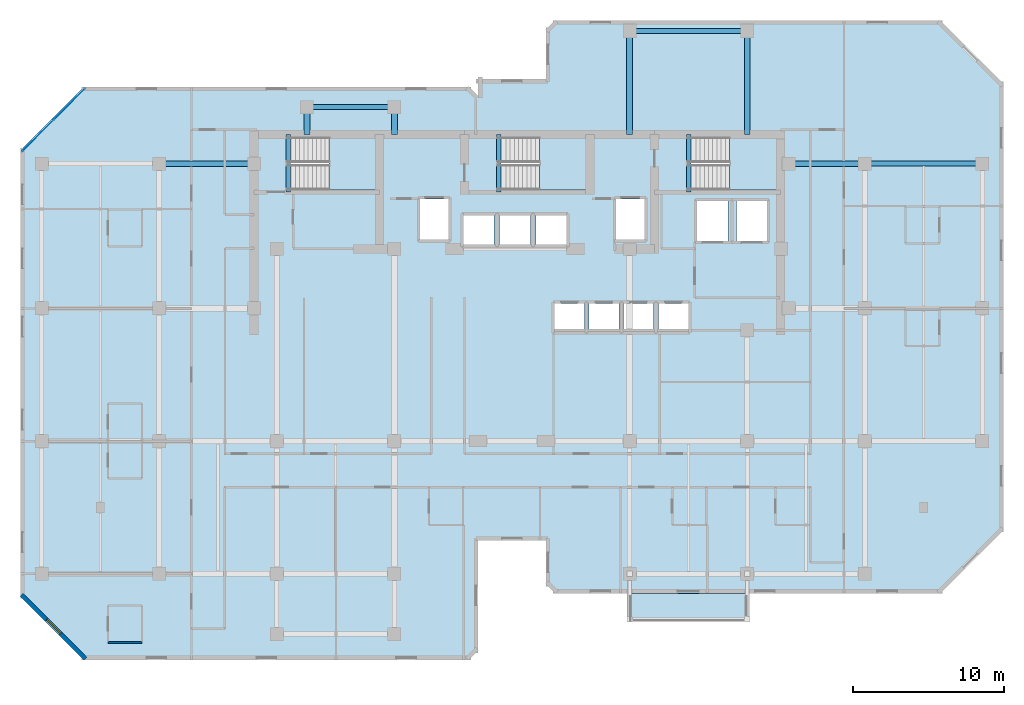
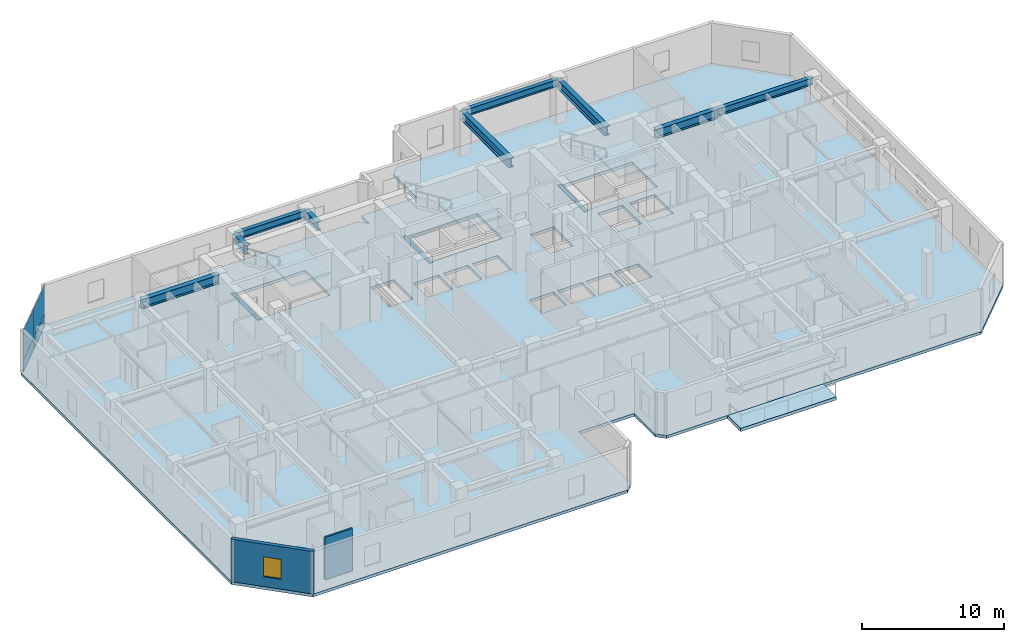
# One storey, part 3 of 11: 12 beams, 5 slabs, 4 plates, 2 walls, 1 window, 1 opening, 4 elements without a shape of their own.
"""IFC4 building model written with IfcOpenShell, lengths in metres."""

from ifc_helpers import new_model, si_unit, direction, frame, frame_2d, origin, origin_2d, place, context, subcontext, project, spatial, polyline, rectangle, i_section, outline, extrude, material, layer, layer_set, material_profile, profile_set, type_object, element, fill, aggregate, save


model = new_model("IFC4")

# Units and contexts
model_context = context("Model", 3, precision=1e-05, world=origin(), true_north=direction((0.0, 1.0)))
body_context = subcontext(model_context, "Body", "Model", "MODEL_VIEW")
ifc_project = project(units=[si_unit("LENGTHUNIT", "METRE"), si_unit("AREAUNIT", "SQUARE_METRE"), si_unit("VOLUMEUNIT", "CUBIC_METRE"), si_unit("PLANEANGLEUNIT", "RADIAN"), si_unit("MASSUNIT", "GRAM", prefix="KILO")], contexts=[model_context])

# Site, building, storey
site_placement = place(None, origin())
site = spatial("IfcSite", under=ifc_project, at=site_placement, CompositionType="ELEMENT")
building_placement = place(site_placement, origin())
building = spatial("IfcBuilding", under=site, at=building_placement, Name="Kestravale Grand Hotel", CompositionType="ELEMENT")
storey_placement = place(building_placement, frame((0.0, 0.0, 192.89990234375)))
storey = spatial("IfcBuildingStorey", under=building, at=storey_placement, Name="L48", CompositionType="ELEMENT", Elevation=192.89990234375)

# Beams
ifc_material_1 = material(Name="Concrete f'c 45 MPa", Category="concrete")
ifc_material_profile_1 = material_profile(ifc_material_1, rectangle(XDim=0.300048828125, YDim=0.39990234375, at=origin_2d()))
ifc_profile_set_1 = profile_set([ifc_material_profile_1], Name="Concrete f'c 45 MPa")
beam_type_1 = type_object("IfcBeamType", Name="B-FLR-LNT400", PredefinedType="LINTEL", material=ifc_profile_set_1)
for number, where, z_axis, x_axis, name in (
    (1, (24.159912109375, 36.52001953125, -0.199951171875), (0.0, 1.0, 0.0), (-1.0, 0.0, 0.0), "L48 ST1 flight bottom header beam"),
    (2, (38.110107421875, 36.52001953125, -0.199951171875), (0.0, 1.0, 0.0), (-1.0, 0.0, 0.0), "L48 ST2 flight bottom header beam"),
    (3, (50.7099609375, 36.52001953125, -0.199951171875), (0.0, 1.0, 0.0), (-1.0, 0.0, 0.0), "L48 ST3 flight bottom header beam"),
):
    element("IfcBeam", number, at=place(storey_placement, frame(where, z_axis=z_axis, x_axis=x_axis)), inside=storey, type_object=beam_type_1, Name=name, PredefinedType="LINTEL", context=body_context, shape_type="SweptSolid", body=[
        extrude(rectangle(XDim=0.300048828125, YDim=0.39990234375, at=origin_2d()), origin(), (0.0, 0.0, 1.0), 3.800048828125),
    ])
ifc_material_2 = material(Name="Steel ASTM A992 Grade 50", Category="steel")
ifc_material_profile_2 = material_profile(ifc_material_2, i_section(OverallWidth=0.324951171875, OverallDepth=0.612060546875, WebThickness=0.0126953125, FlangeThickness=0.01904296875, FilletRadius=0.018798828125, at=origin_2d()))
ifc_profile_set_2 = profile_set([ifc_material_profile_2], Name="Steel ASTM A992 Grade 50")
beam_type_2 = type_object("IfcBeamType", Name="B-FLR-W24A", PredefinedType="SPANDREL", material=ifc_profile_set_2)
for number, where, z_axis, x_axis, name in (
    (4, (62.39990234375, 38.39990234375, 3.343994140625), (1.0, 0.0, 0.0), (0.0, 1.0, 0.0), "L48 spandrel F:10-11"),
    (5, (46.800048828125, 47.199951171875, 3.343994140625), (1.0, 0.0, 0.0), (0.0, 1.0, 0.0), "L48 spandrel G:8-9"),
):
    element("IfcBeam", number, at=place(storey_placement, frame(where, z_axis=z_axis, x_axis=x_axis)), inside=storey, type_object=beam_type_2, Name=name, PredefinedType="SPANDREL", context=body_context, shape_type="SweptSolid", body=[
        extrude(i_section(OverallWidth=0.324951171875, OverallDepth=0.612060546875, WebThickness=0.0126953125, FlangeThickness=0.01904296875, FilletRadius=0.018798828125, at=origin_2d()), origin(), (0.0, 0.0, 1.0), 7.800048828125),
    ])
beam_1_placement = place(storey_placement, frame((25.39990234375, 42.14990234375, 3.343994140625), z_axis=(1.0, 0.0, 0.0), x_axis=(0.0, 1.0, 0.0)))
element("IfcBeam", 6, at=beam_1_placement, inside=storey, type_object=beam_type_2, Name="L48 perimeter tie spandrel FN:4-5", PredefinedType="SPANDREL", context=body_context, shape_type="SweptSolid", body=[
    extrude(i_section(OverallWidth=0.324951171875, OverallDepth=0.612060546875, WebThickness=0.0126953125, FlangeThickness=0.01904296875, FilletRadius=0.018798828125, at=origin_2d()), origin(), (0.0, 0.0, 1.0), 5.800048828125),
])
ifc_material_3 = material(Name="Steel ASTM A992 Grade 50", Category="steel")
ifc_material_profile_3 = material_profile(ifc_material_3, i_section(OverallWidth=0.381103515625, OverallDepth=0.77197265625, WebThickness=0.0166015625, FlangeThickness=0.027099609375, FilletRadius=0.023681640625, at=origin_2d()))
ifc_profile_set_3 = profile_set([ifc_material_profile_3], Name="Steel ASTM A992 Grade 50")
beam_type_3 = type_object("IfcBeamType", Name="B-GRD-W30", PredefinedType="BEAM", material=ifc_profile_set_3)
beam_2_placement = place(storey_placement, frame((15.60009765625, 38.39990234375, 3.26416015625), z_axis=(1.0, 0.0, 0.0), x_axis=(0.0, 1.0, 0.0)))
element("IfcBeam", 7, at=beam_2_placement, inside=storey, type_object=beam_type_3, Name="L48 girder F:3-CW", PredefinedType="BEAM", context=body_context, shape_type="SweptSolid", body=[
    extrude(i_section(OverallWidth=0.381103515625, OverallDepth=0.77197265625, WebThickness=0.0166015625, FlangeThickness=0.027099609375, FilletRadius=0.023681640625, at=origin_2d()), origin(), (0.0, 0.0, 1.0), 6.2998046875),
])
beam_3_placement = place(storey_placement, frame((57.35009765625, 38.39990234375, 3.26416015625), z_axis=(1.0, 0.0, 0.0), x_axis=(0.0, 1.0, 0.0)))
element("IfcBeam", 8, at=beam_3_placement, inside=storey, type_object=beam_type_3, Name="L48 girder F:CE-10", PredefinedType="BEAM", context=body_context, shape_type="SweptSolid", body=[
    extrude(i_section(OverallWidth=0.381103515625, OverallDepth=0.77197265625, WebThickness=0.0166015625, FlangeThickness=0.027099609375, FilletRadius=0.023681640625, at=origin_2d()), origin(), (0.0, 0.0, 1.0), 5.0498046875),
])
for number, where, z_axis, x_axis, name in (
    (9, (25.39990234375, 40.320068359375, 3.26416015625), (0.0, 1.0, 0.0), (-1.0, 0.0, 0.0), "L48 north wing tie girder 4:CN-FN"),
    (10, (31.199951171875, 40.320068359375, 3.26416015625), (0.0, 1.0, 0.0), (-1.0, 0.0, 0.0), "L48 north wing tie girder 5:CN-FN"),
):
    element("IfcBeam", number, at=place(storey_placement, frame(where, z_axis=z_axis, x_axis=x_axis)), inside=storey, type_object=beam_type_3, Name=name, PredefinedType="BEAM", context=body_context, shape_type="SweptSolid", body=[
        extrude(i_section(OverallWidth=0.381103515625, OverallDepth=0.77197265625, WebThickness=0.0166015625, FlangeThickness=0.027099609375, FilletRadius=0.023681640625, at=origin_2d()), origin(), (0.0, 0.0, 1.0), 1.829833984375),
    ])
for number, where, z_axis, x_axis, name in (
    (11, (46.800048828125, 40.320068359375, 3.26416015625), (0.0, 1.0, 0.0), (-1.0, 0.0, 0.0), "L48 north wing tie girder 8:CN-G"),
    (12, (54.60009765625, 40.320068359375, 3.26416015625), (0.0, 1.0, 0.0), (-1.0, 0.0, 0.0), "L48 north wing tie girder 9:CN-G"),
):
    element("IfcBeam", number, at=place(storey_placement, frame(where, z_axis=z_axis, x_axis=x_axis)), inside=storey, type_object=beam_type_3, Name=name, PredefinedType="BEAM", context=body_context, shape_type="SweptSolid", body=[
        extrude(i_section(OverallWidth=0.381103515625, OverallDepth=0.77197265625, WebThickness=0.0166015625, FlangeThickness=0.027099609375, FilletRadius=0.023681640625, at=origin_2d()), origin(), (0.0, 0.0, 1.0), 6.8798828125),
    ])

# Curtain wall, plates
ifc_material_4 = material(Name="Thermally broken champagne-bronze aluminium and low-E glazing", Category="aluminium")
ifc_layer_1 = layer(ifc_material_4, 0.179931640625)
ifc_layer_set_1 = layer_set([ifc_layer_1], Name="CW-Z3")
curtain_wall_type = type_object("IfcCurtainWallType", Name="CW-Z3", PredefinedType="NOTDEFINED", material=ifc_layer_set_1)
curtain_wall_placement = place(storey_placement, origin())
curtain_wall = element("IfcCurtainWall", 13, at=curtain_wall_placement, inside=storey, type_object=curtain_wall_type, Name="L48 unitised curtain wall 18", PredefinedType="NOTDEFINED")
ifc_material_5 = material(Name="Insulated clear low-E double glazing IGU", Category="glass")
ifc_layer_2 = layer(ifc_material_5, 0.031982421875)
ifc_layer_set_2 = layer_set([ifc_layer_2], Name="CW-PNL-32")
plate_type = type_object("IfcPlateType", Name="CW-PNL-32", PredefinedType="CURTAIN_PANEL", material=ifc_layer_set_2)
plate_1_placement = place(storey_placement, frame((9.64453125, 42.3466796875, 0.06494140625), z_axis=(0.0, 0.0, 1.0), x_axis=(-0.707106781187, -0.707106781187, 0.0)))
plate_1 = element("IfcPlate", 14, at=plate_1_placement, type_object=plate_type, Name="CW-Z3 panel 1.1", PredefinedType="CURTAIN_PANEL", context=body_context, shape_type="SweptSolid", body=[
    extrude(rectangle(XDim=2.892333984375, YDim=0.031982421875, at=origin_2d()), origin(), (0.0, 0.0, 1.0), 0.952392578125),
])
plate_2_placement = place(storey_placement, frame((9.64453125, 42.3466796875, 1.08251953125), z_axis=(0.0, 0.0, 1.0), x_axis=(-0.707106781187, -0.707106781187, 0.0)))
plate_2 = element("IfcPlate", 15, at=plate_2_placement, type_object=plate_type, Name="CW-Z3 panel 1.2", PredefinedType="CURTAIN_PANEL", context=body_context, shape_type="SweptSolid", body=[
    extrude(rectangle(XDim=2.892333984375, YDim=0.031982421875, at=origin_2d()), origin(), (0.0, 0.0, 1.0), 2.50244140625),
])
plate_3_placement = place(storey_placement, frame((7.553466796875, 40.25537109375, 0.06494140625), z_axis=(0.0, 0.0, 1.0), x_axis=(-0.707106781187, -0.707106781187, 0.0)))
plate_3 = element("IfcPlate", 16, at=plate_3_placement, type_object=plate_type, Name="CW-Z3 panel 2.1", PredefinedType="CURTAIN_PANEL", context=body_context, shape_type="SweptSolid", body=[
    extrude(rectangle(XDim=2.892333984375, YDim=0.031982421875, at=origin_2d()), origin(), (0.0, 0.0, 1.0), 0.952392578125),
])
plate_4_placement = place(storey_placement, frame((7.553466796875, 40.25537109375, 1.08251953125), z_axis=(0.0, 0.0, 1.0), x_axis=(-0.707106781187, -0.707106781187, 0.0)))
plate_4 = element("IfcPlate", 17, at=plate_4_placement, type_object=plate_type, Name="CW-Z3 panel 2.2", PredefinedType="CURTAIN_PANEL", context=body_context, shape_type="SweptSolid", body=[
    extrude(rectangle(XDim=2.892333984375, YDim=0.031982421875, at=origin_2d()), origin(), (0.0, 0.0, 1.0), 2.50244140625),
])
aggregate(curtain_wall, [plate_1, plate_2, plate_3, plate_4])

# Slab
ifc_material_6 = material(Name="Concrete f'c 45 MPa", Category="concrete")
ifc_layer_3 = layer(ifc_material_6, 0.27001953125)
ifc_layer_set_3 = layer_set([ifc_layer_3], Name="ES-TERR-270")
slab_type_1 = type_object("IfcSlabType", Name="ES-TERR-270", PredefinedType="FLOOR", material=ifc_layer_set_3)
slab_1_placement = place(storey_placement, frame((0.0, 0.0, -0.27001953125)))
element("IfcSlab", 18, at=slab_1_placement, inside=storey, type_object=slab_type_1, Name="L48 spiralling planted garden terrace", PredefinedType="FLOOR", context=body_context, shape_type="SweptSolid", body=[
    extrude(outline(polyline([(46.800048828125, 8.050048828125), (54.60009765625, 8.050048828125), (54.60009765625, 9.89990234375), (46.800048828125, 9.89990234375), (46.800048828125, 8.050048828125)])), origin(), (0.0, 0.0, 1.0), 0.27001953125),
])

# Stair, slab
ifc_material_7 = material(Name="Concrete f'c 45 MPa", Category="concrete")
stair_type = type_object("IfcStairType", Name="ST-CORE-390", PredefinedType="HALF_TURN_STAIR", material=ifc_material_7)
stair_1_placement = place(storey_placement, origin())
stair_1 = element("IfcStair", 19, at=stair_1_placement, inside=storey, type_object=stair_type, Name="L48 ST-1", PredefinedType="HALF_TURN_STAIR")
ifc_material_8 = material(Name="Concrete f'c 45 MPa", Category="concrete")
ifc_layer_4 = layer(ifc_material_8, 0.199951171875)
ifc_layer_set_4 = layer_set([ifc_layer_4], Name="SLB-ST-LND200")
slab_type_2 = type_object("IfcSlabType", Name="SLB-ST-LND200", PredefinedType="LANDING", material=ifc_layer_set_4)
slab_2_placement = place(storey_placement, frame((0.0, 0.0, 1.75)))
slab_2 = element("IfcSlab", 20, at=slab_2_placement, type_object=slab_type_2, Name="ST-1 landing 1", PredefinedType="LANDING", context=body_context, shape_type="SweptSolid", body=[
    extrude(outline(polyline([(26.8798828125, 36.64990234375), (30.0, 36.64990234375), (30.0, 40.159912109375), (26.8798828125, 40.159912109375), (26.8798828125, 36.64990234375)])), origin(), (0.0, 0.0, 1.0), 0.2001953125),
])
aggregate(stair_1, [slab_2])

stair_2_placement = place(storey_placement, origin())
stair_2 = element("IfcStair", 21, at=stair_2_placement, inside=storey, type_object=stair_type, Name="L48 ST-2", PredefinedType="HALF_TURN_STAIR")
slab_3_placement = place(storey_placement, frame((0.0, 0.0, 1.75)))
slab_3 = element("IfcSlab", 22, at=slab_3_placement, type_object=slab_type_2, Name="ST-2 landing 1", PredefinedType="LANDING", context=body_context, shape_type="SweptSolid", body=[
    extrude(outline(polyline([(40.830078125, 36.64990234375), (43.949951171875, 36.64990234375), (43.949951171875, 40.159912109375), (40.830078125, 40.159912109375), (40.830078125, 36.64990234375)])), origin(), (0.0, 0.0, 1.0), 0.2001953125),
])
aggregate(stair_2, [slab_3])

stair_3_placement = place(storey_placement, origin())
stair_3 = element("IfcStair", 23, at=stair_3_placement, inside=storey, type_object=stair_type, Name="L48 ST-3", PredefinedType="HALF_TURN_STAIR")
slab_4_placement = place(storey_placement, frame((0.0, 0.0, 1.75)))
slab_4 = element("IfcSlab", 24, at=slab_4_placement, type_object=slab_type_2, Name="ST-3 landing 1", PredefinedType="LANDING", context=body_context, shape_type="SweptSolid", body=[
    extrude(outline(polyline([(53.429931640625, 36.64990234375), (56.550048828125, 36.64990234375), (56.550048828125, 40.159912109375), (53.429931640625, 40.159912109375), (53.429931640625, 36.64990234375)])), origin(), (0.0, 0.0, 1.0), 0.2001953125),
])
aggregate(stair_3, [slab_4])

# Slab
ifc_material_9 = material(Name="Concrete f'c 45 MPa", Category="concrete")
ifc_layer_5 = layer(ifc_material_9, 0.25)
ifc_layer_set_5 = layer_set([ifc_layer_5], Name="SS-FLR-250")
slab_type_3 = type_object("IfcSlabType", Name="SS-FLR-250", PredefinedType="FLOOR", material=ifc_layer_set_5)
slab_5_placement = place(storey_placement, frame((0.0, 0.0, -0.25)))
element("IfcSlab", 25, at=slab_5_placement, inside=storey, type_object=slab_type_3, Name="L48 structural floor slab", PredefinedType="FLOOR", context=body_context, shape_type="SweptSolid", body=[
    extrude(outline(polyline([(10.60009765625, 5.5), (36.14990234375, 5.5), (36.75, 6.10009765625), (36.75, 13.39990234375), (41.25, 13.39990234375), (41.25, 10.5), (41.85009765625, 9.89990234375), (67.39990234375, 9.89990234375), (71.60009765625, 14.10009765625), (71.60009765625, 43.699951171875), (67.39990234375, 47.89990234375), (41.85009765625, 47.89990234375), (41.25, 47.300048828125), (41.25, 44.0), (36.75, 44.0), (36.75, 42.89990234375), (36.14990234375, 43.5), (10.60009765625, 43.5), (6.39990234375, 39.300048828125), (6.39990234375, 9.699951171875), (10.60009765625, 5.5)]), holes=[polyline([(24.080078125, 36.64990234375), (30.0, 36.64990234375), (30.0, 40.159912109375), (24.080078125, 40.159912109375), (24.080078125, 36.64990234375)]), polyline([(38.030029296875, 36.64990234375), (43.949951171875, 36.64990234375), (43.949951171875, 40.159912109375), (38.030029296875, 40.159912109375), (38.030029296875, 36.64990234375)]), polyline([(50.6298828125, 36.64990234375), (56.550048828125, 36.64990234375), (56.550048828125, 40.159912109375), (50.6298828125, 40.159912109375), (50.6298828125, 36.64990234375)]), polyline([(41.804931640625, 27.280029296875), (43.794921875, 27.280029296875), (43.794921875, 29.1201171875), (41.804931640625, 29.1201171875), (41.804931640625, 27.280029296875)]), polyline([(44.10498046875, 27.280029296875), (46.094970703125, 27.280029296875), (46.094970703125, 29.1201171875), (44.10498046875, 29.1201171875), (44.10498046875, 27.280029296875)]), polyline([(46.405029296875, 27.280029296875), (48.39501953125, 27.280029296875), (48.39501953125, 29.1201171875), (46.405029296875, 29.1201171875), (46.405029296875, 27.280029296875)]), polyline([(48.705078125, 27.280029296875), (50.695068359375, 27.280029296875), (50.695068359375, 29.1201171875), (48.705078125, 29.1201171875), (48.705078125, 27.280029296875)]), polyline([(35.780029296875, 33.030029296875), (37.820068359375, 33.030029296875), (37.820068359375, 34.969970703125), (35.780029296875, 34.969970703125), (35.780029296875, 33.030029296875)]), polyline([(38.179931640625, 33.030029296875), (40.219970703125, 33.030029296875), (40.219970703125, 34.969970703125), (38.179931640625, 34.969970703125), (38.179931640625, 33.030029296875)]), polyline([(40.580078125, 33.030029296875), (42.6201171875, 33.030029296875), (42.6201171875, 34.969970703125), (40.580078125, 34.969970703125), (40.580078125, 33.030029296875)]), polyline([(32.905029296875, 33.35498046875), (34.794921875, 33.35498046875), (34.794921875, 36.044921875), (32.905029296875, 36.044921875), (32.905029296875, 33.35498046875)]), polyline([(45.905029296875, 33.35498046875), (47.794921875, 33.35498046875), (47.794921875, 36.044921875), (45.905029296875, 36.044921875), (45.905029296875, 33.35498046875)]), polyline([(51.280029296875, 33.280029296875), (53.320068359375, 33.280029296875), (53.320068359375, 35.919921875), (51.280029296875, 35.919921875), (51.280029296875, 33.280029296875)]), polyline([(53.8798828125, 33.280029296875), (55.919921875, 33.280029296875), (55.919921875, 35.919921875), (53.8798828125, 35.919921875), (53.8798828125, 33.280029296875)])]), origin(), (0.0, 0.0, 1.0), 0.25),
])

# Wall, opening, window
ifc_material_10 = material(Name="Precast concrete f'c 45 MPa", Category="concrete")
ifc_layer_6 = layer(ifc_material_10, 0.280029296875)
ifc_layer_set_6 = layer_set([ifc_layer_6], Name="EW-PREC-280")
wall_type_1 = type_object("IfcWallType", Name="EW-PREC-280", PredefinedType="SOLIDWALL", material=ifc_layer_set_6)
wall_1_placement = place(storey_placement, frame((6.470703125, 9.827392578125, 0.0), z_axis=(0.0, 0.0, 1.0), x_axis=(0.707106781187, -0.707106781187, 0.0)))
wall_1 = element("IfcWall", 26, at=wall_1_placement, inside=storey, type_object=wall_type_1, Name="L48 fluted precast facade wall 20", PredefinedType="SOLIDWALL", context=body_context, shape_type="SweptSolid", body=[
    extrude(rectangle(XDim=6.019775390625, YDim=0.280029296875, at=frame_2d((3.009765625, 0.0))), origin(), (0.0, 0.0, 1.0), 3.650146484375),
])
opening_placement = place(wall_1_placement, frame((2.35986328125, 0.0, 0.85009765625)))
opening = element("IfcOpeningElement", 27, at=opening_placement, cuts=wall_1, Name="Opening W-GUEST-1300", PredefinedType="OPENING", context=body_context, shape_type="SweptSolid", body=[
    extrude(rectangle(XDim=1.300048828125, YDim=1.699951171875, at=frame_2d((0.64990234375, 0.85009765625))), frame((0.0, 0.14990234375, 0.0), z_axis=(0.0, -1.0, 0.0), x_axis=(1.0, 0.0, 0.0)), (0.0, 0.0, 1.0), 0.300048828125),
])
ifc_material_11 = material(Name="Insulated low-E double glazing in aluminium frame", Category="aluminium")
window_type = type_object("IfcWindowType", Name="W-GUEST-1300", PartitioningType="SINGLE_PANEL", PredefinedType="WINDOW", material=ifc_material_11)
window_placement = place(opening_placement, origin())
window = element("IfcWindow", 28, at=window_placement, inside=storey, type_object=window_type, Name="L48 exterior window 20.1", OverallHeight=1.699951171875, OverallWidth=1.300048828125, PartitioningType="SINGLE_PANEL", PredefinedType="WINDOW", context=body_context, shape_type="SweptSolid", body=[
    extrude(rectangle(XDim=1.300048828125, YDim=1.699951171875, at=frame_2d((0.64990234375, 0.85009765625))), frame((0.0, 0.030029296875, 0.0), z_axis=(0.0, -1.0, 0.0), x_axis=(1.0, 0.0, 0.0)), (0.0, 0.0, 1.0), 0.06005859375),
])
fill(opening, window)

# Wall
ifc_material_12 = material(Name="Moisture-resistant tile-backer plumbing chase wall", Category="other")
ifc_layer_7 = layer(ifc_material_12, 0.139892578125)
ifc_layer_set_7 = layer_set([ifc_layer_7], Name="IW-PLB-140")
wall_type_2 = type_object("IfcWallType", Name="IW-PLB-140", PredefinedType="PLUMBINGWALL", material=ifc_layer_set_7)
wall_2_placement = place(storey_placement, frame((12.199951171875, 6.64990234375, 0.0), z_axis=(0.0, 0.0, 1.0), x_axis=(1.0, 0.0, 0.0)))
element("IfcWall", 29, at=wall_2_placement, inside=storey, type_object=wall_type_2, Name="W-L48-U04-BS", PredefinedType="PLUMBINGWALL", context=body_context, shape_type="SweptSolid", body=[
    extrude(rectangle(XDim=2.25, YDim=0.139892578125, at=frame_2d((1.125, 0.0))), origin(), (0.0, 0.0, 1.0), 3.650146484375),
])

save(model, "model.ifc")
